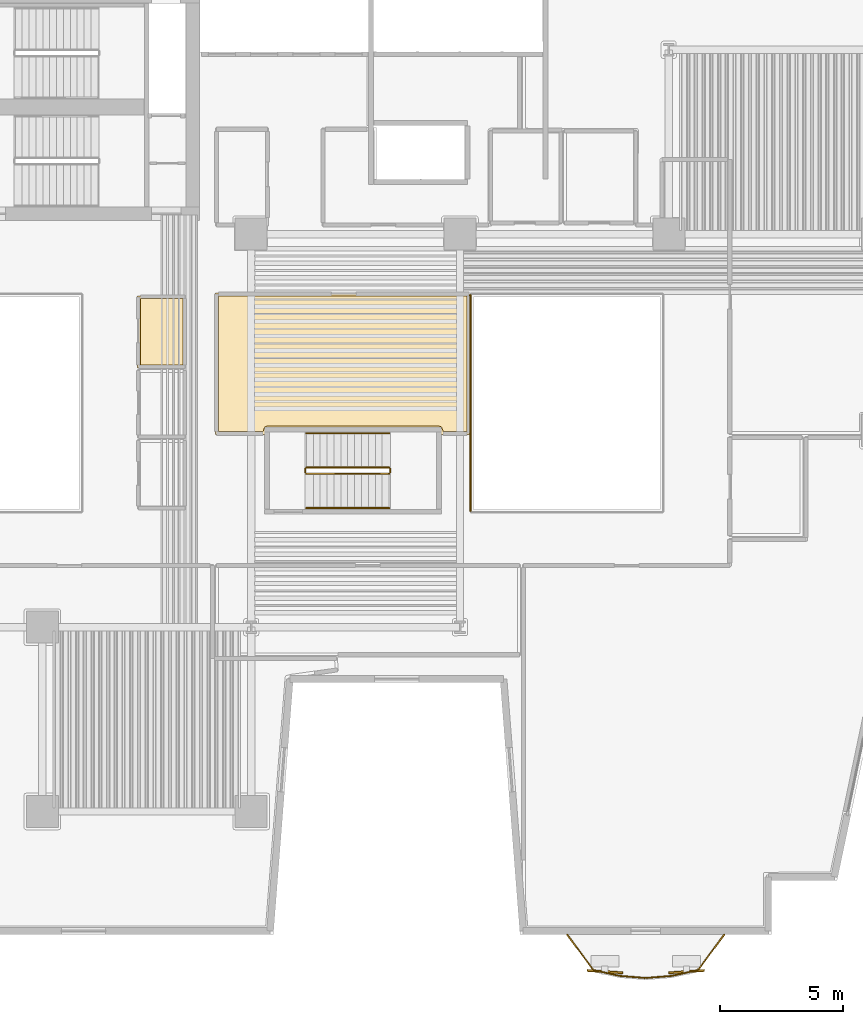
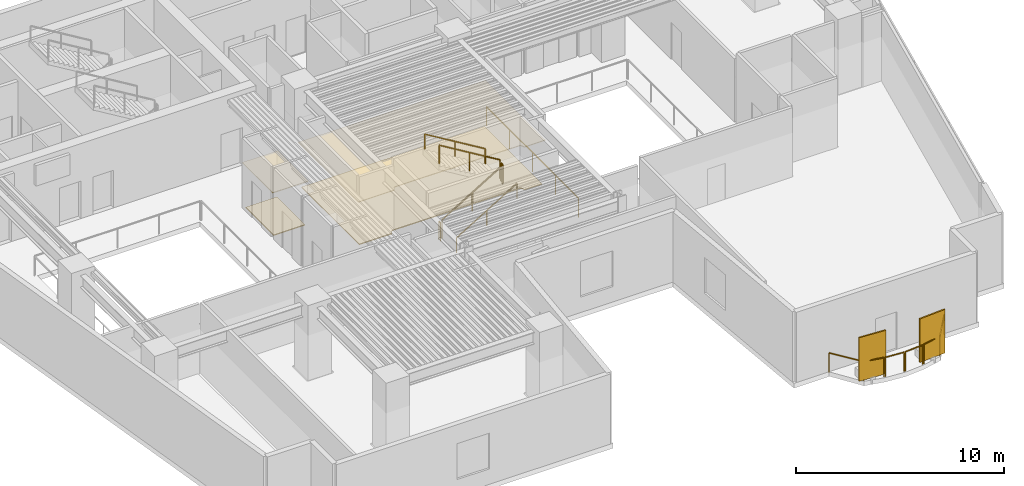
# One storey, part 9 of 12: 13 railings, 4 coverings, 2 shading devices.
"""IFC4 building model written with IfcOpenShell, lengths in metres."""

from ifc_helpers import new_model, si_unit, direction, frame, origin, origin_2d, place, context, subcontext, project, spatial, polyline, rectangle, outline, extrude, material, layer, layer_set, type_object, element, save


model = new_model("IFC4")

# Units and contexts
model_context = context("Model", 3, precision=1e-05, world=origin(), true_north=direction((0.0, 1.0)))
body_context = subcontext(model_context, "Body", "Model", "MODEL_VIEW")
ifc_project = project(units=[si_unit("LENGTHUNIT", "METRE"), si_unit("AREAUNIT", "SQUARE_METRE"), si_unit("VOLUMEUNIT", "CUBIC_METRE"), si_unit("PLANEANGLEUNIT", "RADIAN"), si_unit("MASSUNIT", "GRAM", prefix="KILO")], contexts=[model_context])

# Site, building, storey
site_placement = place(None, origin())
site = spatial("IfcSite", under=ifc_project, at=site_placement, CompositionType="ELEMENT")
building_placement = place(site_placement, origin())
building = spatial("IfcBuilding", under=site, at=building_placement, Name="Caeloran Harvest Quay", CompositionType="ELEMENT")
storey_placement = place(building_placement, frame((0.0, 0.0, 97.39990234375)))
storey = spatial("IfcBuildingStorey", under=building, at=storey_placement, Name="L22", CompositionType="ELEMENT", Elevation=97.39990234375)

# Coverings
ifc_material_1 = material(Name="Perforated Mineral-Fibre Acoustic Ceiling Tile", Category="ceiling")
ifc_layer_1 = layer(ifc_material_1, 0.0400390625, Name="Perforated Mineral-Fibre Acoustic Ceiling Tile")
ifc_layer_set_1 = layer_set([ifc_layer_1], Name="Perforated Mineral-Fibre Acoustic Ceiling Tile")
covering_type_1 = type_object("IfcCoveringType", Name="COV-CEILING-ACOUSTIC", PredefinedType="CEILING", material=ifc_layer_set_1)
covering_1_placement = place(storey_placement, frame((0.0, 0.0, 2.60009765625)))
element("IfcCovering", 1, at=covering_1_placement, inside=storey, type_object=covering_type_1, Name="L22 Male Washroom WC Acoustic Ceiling", PredefinedType="CEILING", context=body_context, shape_type="SweptSolid", body=[
    extrude(outline(polyline([(22.840087890625, 25.56005859375), (20.8701171875, 25.56005859375), (20.8701171875, 28.489990234375), (22.840087890625, 28.489990234375), (22.840087890625, 25.56005859375)])), origin(), (0.0, 0.0, 1.0), 0.0400390625),
])
covering_2_placement = place(storey_placement, frame((0.0, 0.0, 2.60009765625)))
element("IfcCovering", 2, at=covering_2_placement, inside=storey, type_object=covering_type_1, Name="Botanical Sketch Studio Acoustic Ceiling", PredefinedType="CEILING", context=body_context, shape_type="SweptSolid", body=[
    extrude(outline(polyline([(26.139892578125, 23.06005859375), (26.139892578125, 23.02099609375), (26.054443359375, 22.840087890625), (24.0400390625, 22.840087890625), (24.0400390625, 28.610107421875), (34.409912109375, 28.610107421875), (34.409912109375, 22.840087890625), (33.24560546875, 22.840087890625), (33.159912109375, 23.02099609375), (33.159912109375, 23.06005859375), (26.139892578125, 23.06005859375)])), origin(), (0.0, 0.0, 1.0), 0.0400390625),
])
ifc_material_2 = material(Name="Calcium-Sulphate Raised Access Floor and Terrazzo Finish", Category="flooring")
ifc_layer_2 = layer(ifc_material_2, 0.050048828125, Name="Calcium-Sulphate Raised Access Floor and Terrazzo Finish")
ifc_layer_set_2 = layer_set([ifc_layer_2], Name="Calcium-Sulphate Raised Access Floor and Terrazzo Finish")
covering_type_2 = type_object("IfcCoveringType", Name="COV-FLOOR-RAISED", PredefinedType="FLOORING", material=ifc_layer_set_2)
covering_3_placement = place(storey_placement, origin())
element("IfcCovering", 3, at=covering_3_placement, inside=storey, type_object=covering_type_2, Name="L22 Male Washroom WC Raised Finish Flooring", PredefinedType="FLOORING", context=body_context, shape_type="SweptSolid", body=[
    extrude(outline(polyline([(22.719970703125, 25.679931640625), (20.989990234375, 25.679931640625), (20.989990234375, 28.3701171875), (22.719970703125, 28.3701171875), (22.719970703125, 25.679931640625)])), origin(), (0.0, 0.0, 1.0), 0.050048828125),
])
covering_4_placement = place(storey_placement, origin())
element("IfcCovering", 4, at=covering_4_placement, inside=storey, type_object=covering_type_2, Name="Botanical Sketch Studio Raised Finish Flooring", PredefinedType="FLOORING", context=body_context, shape_type="SweptSolid", body=[
    extrude(outline(polyline([(33.321533203125, 22.9599609375), (33.244873046875, 23.150390625), (33.169921875, 23.179931640625), (26.1298828125, 23.179931640625), (26.040771484375, 23.13427734375), (25.978515625, 22.9599609375), (24.159912109375, 22.9599609375), (24.159912109375, 28.489990234375), (34.2900390625, 28.489990234375), (34.2900390625, 22.9599609375), (33.321533203125, 22.9599609375)])), origin(), (0.0, 0.0, 1.0), 0.050048828125),
])

# Railings
ifc_material_3 = material(Name="Powder-Coated Steel Post and Laminated Glass Guardrail", Category="steel")
ifc_layer_3 = layer(ifc_material_3, 0.06005859375, Name="Powder-Coated Steel Post and Laminated Glass Guardrail")
ifc_layer_set_3 = layer_set([ifc_layer_3], Name="Powder-Coated Steel Post and Laminated Glass Guardrail")
railing_type_1 = type_object("IfcRailingType", Name="GUARD-ATRIUM-1150", PredefinedType="GUARDRAIL", material=ifc_layer_set_3)
railing_1_placement = place(storey_placement, frame((34.429931640625, 28.5380859375, 0.0)))
element("IfcRailing", 5, at=railing_1_placement, inside=storey, type_object=railing_type_1, Name="L22 East Botanical Lightwell Guardrail Seg 4", PredefinedType="GUARDRAIL", context=body_context, shape_type="SweptSolid", body=[
    extrude(rectangle(XDim=0.048095703125, YDim=0.048095703125, at=origin_2d()), frame((0.0, 0.0, 1.1259765625), z_axis=(0.0, -1.0, 0.0), x_axis=(1.0, 0.0, 0.0)), (0.0, 0.0, 1.0), 8.826171875),
    extrude(rectangle(XDim=0.0419921875, YDim=0.0419921875, at=origin_2d()), origin(), (0.0, 0.0, 1.0), 1.101806640625),
    extrude(rectangle(XDim=0.0419921875, YDim=0.0419921875, at=origin_2d()), frame((0.0, -2.20654296875, 0.0)), (0.0, 0.0, 1.0), 1.101806640625),
    extrude(rectangle(XDim=0.0419921875, YDim=0.0419921875, at=origin_2d()), frame((0.0, -4.4130859375, 0.0)), (0.0, 0.0, 1.0), 1.101806640625),
    extrude(rectangle(XDim=0.0419921875, YDim=0.0419921875, at=origin_2d()), frame((0.0, -6.61962890625, 0.0)), (0.0, 0.0, 1.0), 1.101806640625),
    extrude(rectangle(XDim=0.0419921875, YDim=0.0419921875, at=origin_2d()), frame((0.0, -8.826171875, 0.0)), (0.0, 0.0, 1.0), 1.101806640625),
])
ifc_material_4 = material(Name="Laminated Safety Glass and Stainless Steel 316", Category="steel")
ifc_layer_4 = layer(ifc_material_4, 0.06005859375, Name="Laminated Safety Glass and Stainless Steel 316")
ifc_layer_set_4 = layer_set([ifc_layer_4], Name="Laminated Safety Glass and Stainless Steel 316")
railing_type_2 = type_object("IfcRailingType", Name="GUARD-BALUSTRADE-1150", PredefinedType="BALUSTRADE", material=ifc_layer_set_4)
railing_2_placement = place(storey_placement, frame((44.7509765625, 2.47998046875, 0.0)))
element("IfcRailing", 6, at=railing_2_placement, inside=storey, type_object=railing_type_2, Name="L22 Planted Balcony Perimeter Balustrade Guard Seg 1", PredefinedType="BALUSTRADE", context=body_context, shape_type="SweptSolid", body=[
    extrude(rectangle(XDim=0.048095703125, YDim=0.048095703125, at=origin_2d()), frame((0.0, 0.0, 1.1259765625), z_axis=(-0.595716634927, -0.803194678065, 0.0), x_axis=(0.803194678065, -0.595716634927, 0.0)), (0.0, 0.0, 1.0), 1.75439453125),
    extrude(rectangle(XDim=0.0419921875, YDim=0.0419921875, at=origin_2d()), origin(), (0.0, 0.0, 1.0), 1.101806640625),
    extrude(rectangle(XDim=0.0419921875, YDim=0.0419921875, at=origin_2d()), frame((-1.045166015625, -1.4091796875, 0.0)), (0.0, 0.0, 1.0), 1.101806640625),
])
railing_3_placement = place(storey_placement, frame((43.655517578125, 1.0380859375, 0.0)))
element("IfcRailing", 7, at=railing_3_placement, inside=storey, type_object=railing_type_2, Name="L22 Planted Balcony Perimeter Balustrade Guard Seg 2", PredefinedType="BALUSTRADE", context=body_context, shape_type="SweptSolid", body=[
    extrude(rectangle(XDim=0.048095703125, YDim=0.048095703125, at=origin_2d()), frame((0.0, 0.0, 1.1259765625), z_axis=(-0.975923301752, -0.218113981893, 0.0), x_axis=(0.218113981893, -0.975923301752, 0.0)), (0.0, 0.0, 1.0), 1.0263671875),
    extrude(rectangle(XDim=0.0419921875, YDim=0.0419921875, at=origin_2d()), origin(), (0.0, 0.0, 1.0), 1.101806640625),
    extrude(rectangle(XDim=0.0419921875, YDim=0.0419921875, at=origin_2d()), frame((-1.001708984375, -0.223876953125, 0.0)), (0.0, 0.0, 1.0), 1.101806640625),
])
railing_4_placement = place(storey_placement, frame((42.5908203125, 0.804443359375, 0.0)))
element("IfcRailing", 8, at=railing_4_placement, inside=storey, type_object=railing_type_2, Name="L22 Planted Balcony Perimeter Balustrade Guard Seg 3", PredefinedType="BALUSTRADE", context=body_context, shape_type="SweptSolid", body=[
    extrude(rectangle(XDim=0.048095703125, YDim=0.048095703125, at=origin_2d()), frame((0.0, 0.0, 1.1259765625), z_axis=(-0.996675351888, -0.0814754131, 0.0), x_axis=(0.0814754131, -0.996675351888, 0.0)), (0.0, 0.0, 1.0), 1.00390625),
    extrude(rectangle(XDim=0.0419921875, YDim=0.0419921875, at=origin_2d()), origin(), (0.0, 0.0, 1.0), 1.101806640625),
    extrude(rectangle(XDim=0.0419921875, YDim=0.0419921875, at=origin_2d()), frame((-1.00048828125, -0.081787109375, 0.0)), (0.0, 0.0, 1.0), 1.101806640625),
])
railing_5_placement = place(storey_placement, frame((41.526611328125, 0.72265625, 0.0)))
element("IfcRailing", 9, at=railing_5_placement, inside=storey, type_object=railing_type_2, Name="L22 Planted Balcony Perimeter Balustrade Guard Seg 4", PredefinedType="BALUSTRADE", context=body_context, shape_type="SweptSolid", body=[
    extrude(rectangle(XDim=0.048095703125, YDim=0.048095703125, at=origin_2d()), frame((0.0, 0.0, 1.1259765625), z_axis=(-0.996675351888, 0.0814754131, 0.0), x_axis=(-0.0814754131, -0.996675351888, 0.0)), (0.0, 0.0, 1.0), 1.00390625),
    extrude(rectangle(XDim=0.0419921875, YDim=0.0419921875, at=origin_2d()), origin(), (0.0, 0.0, 1.0), 1.101806640625),
    extrude(rectangle(XDim=0.0419921875, YDim=0.0419921875, at=origin_2d()), frame((-1.00048828125, 0.081787109375, 0.0)), (0.0, 0.0, 1.0), 1.101806640625),
])
railing_6_placement = place(storey_placement, frame((40.463134765625, 0.814208984375, 0.0)))
element("IfcRailing", 10, at=railing_6_placement, inside=storey, type_object=railing_type_2, Name="L22 Planted Balcony Perimeter Balustrade Guard Seg 5", PredefinedType="BALUSTRADE", context=body_context, shape_type="SweptSolid", body=[
    extrude(rectangle(XDim=0.048095703125, YDim=0.048095703125, at=origin_2d()), frame((0.0, 0.0, 1.1259765625), z_axis=(-0.975923301752, 0.218113981893, 0.0), x_axis=(-0.218113981893, -0.975923301752, 0.0)), (0.0, 0.0, 1.0), 1.0263671875),
    extrude(rectangle(XDim=0.0419921875, YDim=0.0419921875, at=origin_2d()), origin(), (0.0, 0.0, 1.0), 1.101806640625),
    extrude(rectangle(XDim=0.0419921875, YDim=0.0419921875, at=origin_2d()), frame((-1.001708984375, 0.223876953125, 0.0)), (0.0, 0.0, 1.0), 1.101806640625),
])
railing_7_placement = place(storey_placement, frame((39.4111328125, 1.07080078125, 0.0)))
element("IfcRailing", 11, at=railing_7_placement, inside=storey, type_object=railing_type_2, Name="L22 Planted Balcony Perimeter Balustrade Guard Seg 6", PredefinedType="BALUSTRADE", context=body_context, shape_type="SweptSolid", body=[
    extrude(rectangle(XDim=0.048095703125, YDim=0.048095703125, at=origin_2d()), frame((0.0, 0.0, 1.1259765625), z_axis=(-0.595716634927, 0.803194678065, 0.0), x_axis=(-0.803194678065, -0.595716634927, 0.0)), (0.0, 0.0, 1.0), 1.75439453125),
    extrude(rectangle(XDim=0.0419921875, YDim=0.0419921875, at=origin_2d()), origin(), (0.0, 0.0, 1.0), 1.101806640625),
    extrude(rectangle(XDim=0.0419921875, YDim=0.0419921875, at=origin_2d()), frame((-1.045166015625, 1.4091796875, 0.0)), (0.0, 0.0, 1.0), 1.101806640625),
])

# Shading devices
ifc_material_5 = material(Name="3003-H14 Perforated Powder-Coated Aluminium", Category="aluminium")
shading_device_type = type_object("IfcShadingDeviceType", Name="SHADE-SCREEN-FOLDED", PredefinedType="USERDEFINED", material=ifc_material_5)
for number, where, z_axis, x_axis, name in (
    (12, (43.218505859375, 0.97998046875, 0.0751953125), (0.0, 0.0, 1.0), (0.997801468292, 0.0662739004, 0.0), "L22 Folded Facade Breathing Screen 1"),
    (13, (39.8984375, 0.97998046875, 0.0751953125), (0.0, 0.0, 1.0), (0.997801468292, -0.0662739004, 0.0), "L22 Folded Facade Breathing Screen 2"),
):
    element("IfcShadingDevice", number, at=place(storey_placement, frame(where, z_axis=z_axis, x_axis=x_axis)), inside=storey, type_object=shading_device_type, Name=name, ObjectType="SCREEN", PredefinedType="USERDEFINED", context=body_context, shape_type="SweptSolid", body=[
        extrude(rectangle(XDim=1.449951171875, YDim=0.080078125, at=origin_2d()), origin(), (0.0, 0.0, 1.0), 2.550048828125),
    ])

# Railings
ifc_material_6 = material(Name="Painted Steel Baluster and Top-Rail Stair Guard", Category="steel")
ifc_layer_5 = layer(ifc_material_6, 0.050048828125, Name="Painted Steel Baluster and Top-Rail Stair Guard")
ifc_layer_set_5 = layer_set([ifc_layer_5], Name="Painted Steel Baluster and Top-Rail Stair Guard")
railing_type_3 = type_object("IfcRailingType", Name="STAIR-GUARD-1100", PredefinedType="GUARDRAIL", material=ifc_layer_set_5)
railing_8_placement = place(storey_placement, frame((27.75, 21.25, 0.16943359375)))
element("IfcRailing", 14, at=railing_8_placement, inside=storey, type_object=railing_type_3, Name="L22 ST-W1 stair guard 1", PredefinedType="GUARDRAIL", context=body_context, shape_type="SweptSolid", body=[
    extrude(rectangle(XDim=0.048095703125, YDim=0.048095703125, at=origin_2d()), frame((0.0, 0.0, 1.076171875), z_axis=(0.855836976705, 0.0, 0.517245656632), x_axis=(0.0, 1.0, 0.0)), (0.0, 0.0, 1.0), 3.926025390625),
    extrude(rectangle(XDim=0.0419921875, YDim=0.0419921875, at=origin_2d()), origin(), (0.0, 0.0, 1.0), 1.052001953125),
    extrude(rectangle(XDim=0.0419921875, YDim=0.0419921875, at=origin_2d()), frame((1.68017578125, 0.0, 1.015380859375)), (0.0, 0.0, 1.0), 1.052001953125),
    extrude(rectangle(XDim=0.0419921875, YDim=0.0419921875, at=origin_2d()), frame((3.360107421875, 0.0, 2.03076171875)), (0.0, 0.0, 1.0), 1.052001953125),
])
railing_9_placement = place(storey_placement, frame((31.159912109375, 21.300048828125, 2.2001953125)))
element("IfcRailing", 15, at=railing_9_placement, inside=storey, type_object=railing_type_3, Name="L22 ST-W1 stair guard 2", PredefinedType="GUARDRAIL", context=body_context, shape_type="SweptSolid", body=[
    extrude(rectangle(XDim=0.048095703125, YDim=0.048095703125, at=origin_2d()), frame((0.0, 0.0, 1.076171875), z_axis=(0.0, 1.0, 0.0), x_axis=(-1.0, 0.0, 0.0)), (0.0, 0.0, 1.0), 0.14990234375),
    extrude(rectangle(XDim=0.0419921875, YDim=0.0419921875, at=origin_2d()), origin(), (0.0, 0.0, 1.0), 1.052001953125),
    extrude(rectangle(XDim=0.0419921875, YDim=0.0419921875, at=origin_2d()), frame((0.0, 0.14990234375, 0.0)), (0.0, 0.0, 1.0), 1.052001953125),
])
railing_10_placement = place(storey_placement, frame((31.110107421875, 21.5, 2.369384765625)))
element("IfcRailing", 16, at=railing_10_placement, inside=storey, type_object=railing_type_3, Name="L22 ST-W1 stair guard 3", PredefinedType="GUARDRAIL", context=body_context, shape_type="SweptSolid", body=[
    extrude(rectangle(XDim=0.048095703125, YDim=0.048095703125, at=origin_2d()), frame((0.0, 0.0, 1.076171875), z_axis=(-0.855836976705, 0.0, 0.517245656632), x_axis=(0.0, -1.0, 0.0)), (0.0, 0.0, 1.0), 3.926025390625),
    extrude(rectangle(XDim=0.0419921875, YDim=0.0419921875, at=origin_2d()), origin(), (0.0, 0.0, 1.0), 1.052001953125),
    extrude(rectangle(XDim=0.0419921875, YDim=0.0419921875, at=origin_2d()), frame((-1.68017578125, 0.0, 1.015380859375)), (0.0, 0.0, 1.0), 1.052001953125),
    extrude(rectangle(XDim=0.0419921875, YDim=0.0419921875, at=origin_2d()), frame((-3.360107421875, 0.0, 2.03076171875)), (0.0, 0.0, 1.0), 1.052001953125),
])
railing_11_placement = place(storey_placement, frame((27.699951171875, 21.300048828125, 0.0)))
element("IfcRailing", 17, at=railing_11_placement, inside=storey, type_object=railing_type_3, Name="L22 ST-W1 stair guard 4", PredefinedType="GUARDRAIL", context=body_context, shape_type="SweptSolid", body=[
    extrude(rectangle(XDim=0.048095703125, YDim=0.048095703125, at=origin_2d()), frame((0.0, 0.0, 1.076171875), z_axis=(0.0, 1.0, 0.0), x_axis=(-1.0, 0.0, 0.0)), (0.0, 0.0, 1.0), 0.14990234375),
    extrude(rectangle(XDim=0.0419921875, YDim=0.0419921875, at=origin_2d()), origin(), (0.0, 0.0, 1.0), 1.052001953125),
    extrude(rectangle(XDim=0.0419921875, YDim=0.0419921875, at=origin_2d()), frame((0.0, 0.14990234375, 0.0)), (0.0, 0.0, 1.0), 1.052001953125),
])
ifc_material_7 = material(Name="Brushed Stainless Steel Grade 304", Category="steel")
ifc_layer_6 = layer(ifc_material_7, 0.050048828125, Name="Brushed Stainless Steel Grade 304")
ifc_layer_set_6 = layer_set([ifc_layer_6], Name="Brushed Stainless Steel Grade 304")
railing_type_4 = type_object("IfcRailingType", Name="STAIR-HANDRAIL-900", PredefinedType="HANDRAIL", material=ifc_layer_set_6)
railing_12_placement = place(storey_placement, frame((27.75, 19.85009765625, 0.16943359375)))
element("IfcRailing", 18, at=railing_12_placement, inside=storey, type_object=railing_type_4, Name="L22 ST-W1 stair handrail 1", PredefinedType="HANDRAIL", context=body_context, shape_type="SweptSolid", body=[
    extrude(rectangle(XDim=0.048095703125, YDim=0.048095703125, at=origin_2d()), frame((0.0, 0.0, 0.8759765625), z_axis=(0.855836976705, 0.0, 0.517245656632), x_axis=(0.0, 1.0, 0.0)), (0.0, 0.0, 1.0), 3.926025390625),
    extrude(rectangle(XDim=0.0419921875, YDim=0.0419921875, at=origin_2d()), origin(), (0.0, 0.0, 1.0), 0.851806640625),
    extrude(rectangle(XDim=0.0419921875, YDim=0.0419921875, at=origin_2d()), frame((1.68017578125, 0.0, 1.015380859375)), (0.0, 0.0, 1.0), 0.851806640625),
    extrude(rectangle(XDim=0.0419921875, YDim=0.0419921875, at=origin_2d()), frame((3.360107421875, 0.0, 2.03076171875)), (0.0, 0.0, 1.0), 0.851806640625),
])
railing_13_placement = place(storey_placement, frame((31.110107421875, 22.89990234375, 2.369384765625)))
element("IfcRailing", 19, at=railing_13_placement, inside=storey, type_object=railing_type_4, Name="L22 ST-W1 stair handrail 2", PredefinedType="HANDRAIL", context=body_context, shape_type="SweptSolid", body=[
    extrude(rectangle(XDim=0.048095703125, YDim=0.048095703125, at=origin_2d()), frame((0.0, 0.0, 0.8759765625), z_axis=(-0.855836976705, 0.0, 0.517245656632), x_axis=(0.0, -1.0, 0.0)), (0.0, 0.0, 1.0), 3.926025390625),
    extrude(rectangle(XDim=0.0419921875, YDim=0.0419921875, at=origin_2d()), origin(), (0.0, 0.0, 1.0), 0.851806640625),
    extrude(rectangle(XDim=0.0419921875, YDim=0.0419921875, at=origin_2d()), frame((-1.68017578125, 0.0, 1.015380859375)), (0.0, 0.0, 1.0), 0.851806640625),
    extrude(rectangle(XDim=0.0419921875, YDim=0.0419921875, at=origin_2d()), frame((-3.360107421875, 0.0, 2.03076171875)), (0.0, 0.0, 1.0), 0.851806640625),
])

save(model, "model.ifc")
